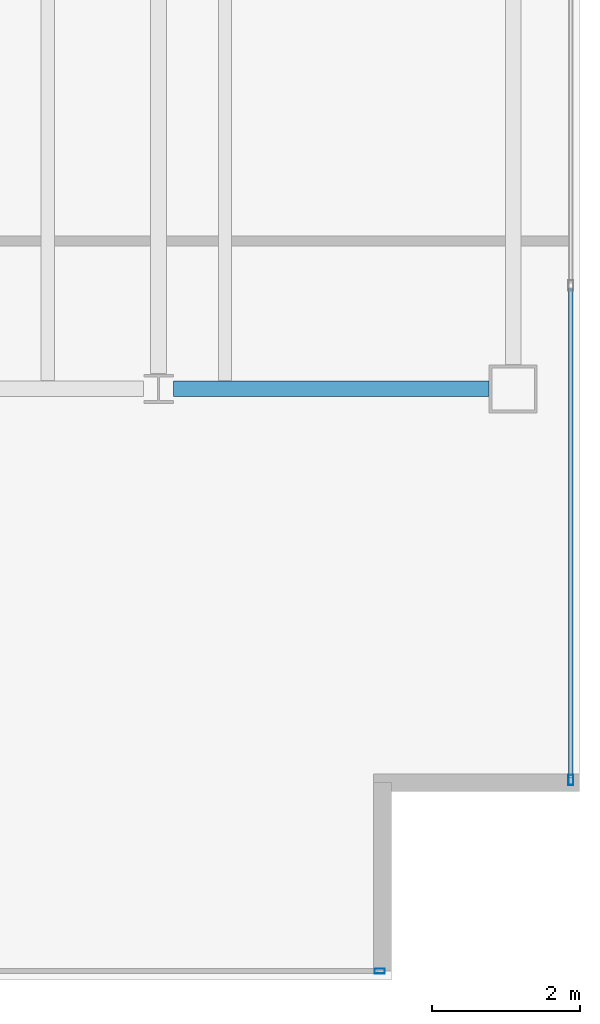
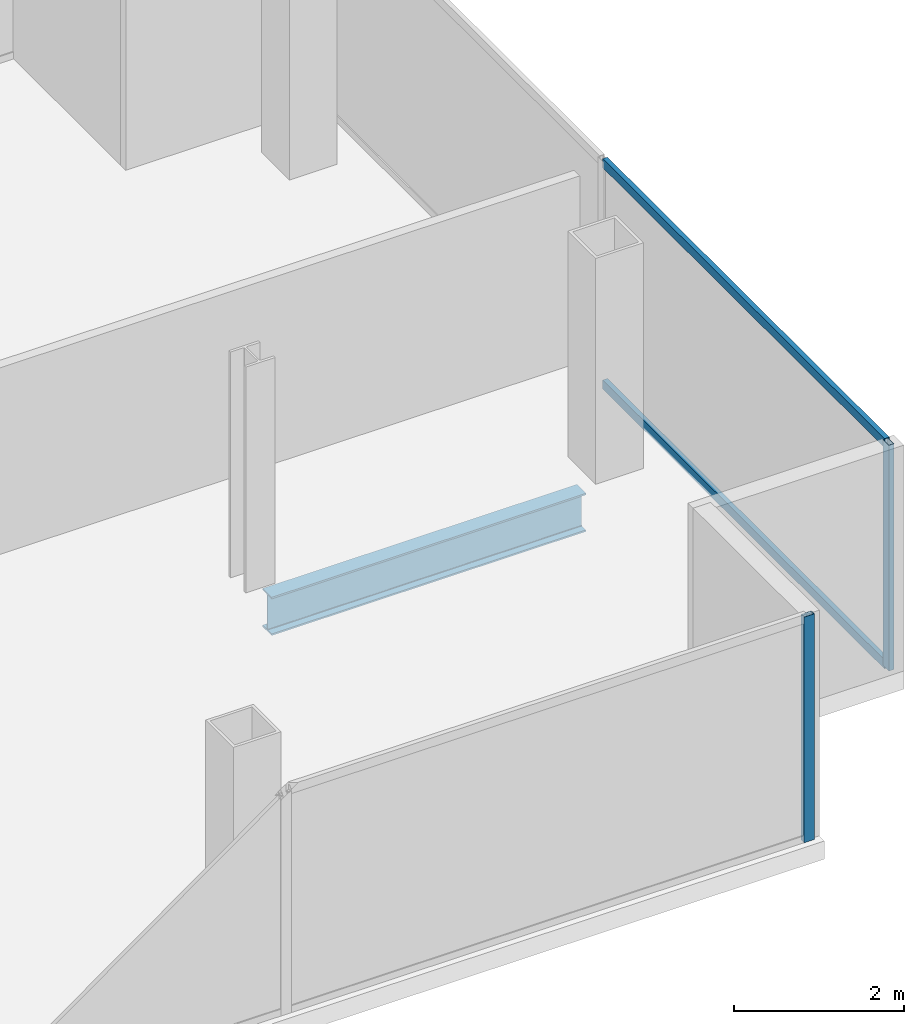
# One storey, part 14 of 23: 4 members, 1 beam, 2 elements without a shape of their own.
"""IFC4 building model written with IfcOpenShell, lengths in metres."""

from ifc_helpers import new_model, si_unit, direction, frame, origin, origin_2d, place, context, subcontext, project, spatial, hollow_rectangle, i_section, extrude, material, material_profile, profile_set, type_object, element, aggregate, save


model = new_model("IFC4")

# Units and contexts
model_context = context("Model", 3, precision=1e-05, world=origin(), true_north=direction((0.0, 1.0)))
body_context = subcontext(model_context, "Body", "Model", "MODEL_VIEW")
ifc_project = project(units=[si_unit("LENGTHUNIT", "METRE"), si_unit("AREAUNIT", "SQUARE_METRE"), si_unit("VOLUMEUNIT", "CUBIC_METRE"), si_unit("PLANEANGLEUNIT", "RADIAN"), si_unit("MASSUNIT", "GRAM", prefix="KILO")], contexts=[model_context])

# Site, building, storey
site_placement = place(None, origin())
site = spatial("IfcSite", under=ifc_project, at=site_placement, CompositionType="ELEMENT")
building_placement = place(site_placement, origin())
building = spatial("IfcBuilding", under=site, at=building_placement, Name="Cobrela Telecom Tower", CompositionType="ELEMENT")
storey_placement = place(building_placement, frame((0.0, 0.0, 258.64990234375)))
storey = spatial("IfcBuildingStorey", under=building, at=storey_placement, Name="L67", CompositionType="ELEMENT", Elevation=258.64990234375)

# Beam
ifc_material_1 = material(Name="Steel ASTM A992 Grade 50", Category="steel")
ifc_material_profile_1 = material_profile(ifc_material_1, i_section(OverallWidth=0.212890625, OverallDepth=0.549072265625, WebThickness=0.0146484375, FlangeThickness=0.023681640625, FilletRadius=0.013916015625, at=origin_2d()), Name="W21X93")
ifc_profile_set_1 = profile_set([ifc_material_profile_1], Name="Steel ASTM A992 Grade 50")
beam_type = type_object("IfcBeamType", Name="BM-GIRD-08", PredefinedType="USERDEFINED", material=ifc_profile_set_1)
beam_placement = place(storey_placement, frame((40.1044921875, 14.39990234375, -0.534423828125), z_axis=(1.0, 0.0, 0.0), x_axis=(0.0, 1.0, 0.0)))
element("IfcBeam", 1, at=beam_placement, inside=storey, type_object=beam_type, Name="L67 Primary Girder X09", ObjectType="GIRDER", PredefinedType="USERDEFINED", context=body_context, shape_type="SweptSolid", body=[
    extrude(i_section(OverallWidth=0.212890625, OverallDepth=0.549072265625, WebThickness=0.0146484375, FlangeThickness=0.023681640625, FilletRadius=0.013916015625, at=origin_2d()), origin(), (0.0, 0.0, 1.0), 4.265625),
])

# Curtain wall, member
ifc_material_2 = material(Name="Anodized Bronze Aluminium 6063-T6", Category="aluminium")
curtain_wall_type = type_object("IfcCurtainWallType", Name="CW-SYS-OFF-HI", PredefinedType="USERDEFINED", material=ifc_material_2)
curtain_wall_1_placement = place(storey_placement, origin())
curtain_wall_1 = element("IfcCurtainWall", 2, at=curtain_wall_1_placement, inside=storey, type_object=curtain_wall_type, Name="L67 Unitised Bronze Curtain Wall 12", ObjectType="UNITISED CURTAIN WALL", PredefinedType="USERDEFINED")
ifc_material_profile_2 = material_profile(ifc_material_2, hollow_rectangle(XDim=0.070068359375, YDim=0.139892578125, WallThickness=0.00390625, at=origin_2d()), Name="ALU 70x140x4")
ifc_profile_set_2 = profile_set([ifc_material_profile_2], Name="Anodized Bronze Aluminium 6063-T6")
member_type_1 = type_object("IfcMemberType", Name="CW-SYS-OFF-HI-MUL", PredefinedType="MULLION", material=ifc_profile_set_2)
member_1_placement = place(storey_placement, frame((45.47998046875, 9.10498046875, 0.0), z_axis=(0.0, 0.0, 1.0), x_axis=(1.0, 0.0, 0.0)))
member_1 = element("IfcMember", 3, at=member_1_placement, type_object=member_type_1, Name="CW-OFF-HI mullion 3", PredefinedType="MULLION", context=body_context, shape_type="SweptSolid", body=[
    extrude(hollow_rectangle(XDim=0.070068359375, YDim=0.139892578125, WallThickness=0.00390625, at=origin_2d()), origin(), (0.0, 0.0, 1.0), 3.239990234375),
])

curtain_wall_2_placement = place(storey_placement, origin())
curtain_wall_2 = element("IfcCurtainWall", 4, at=curtain_wall_2_placement, inside=storey, type_object=curtain_wall_type, Name="L67 Unitised Bronze Curtain Wall 15", ObjectType="UNITISED CURTAIN WALL", PredefinedType="USERDEFINED")
member_2_placement = place(storey_placement, frame((42.89501953125, 6.52001953125, 0.0), z_axis=(0.0, 0.0, 1.0), x_axis=(0.0, -1.0, 0.0)))
member_2 = element("IfcMember", 5, at=member_2_placement, type_object=member_type_1, Name="CW-OFF-HI mullion 1", PredefinedType="MULLION", context=body_context, shape_type="SweptSolid", body=[
    extrude(hollow_rectangle(XDim=0.070068359375, YDim=0.139892578125, WallThickness=0.00390625, at=origin_2d()), origin(), (0.0, 0.0, 1.0), 3.239990234375),
])
aggregate(curtain_wall_2, [member_2])

# Member
ifc_material_profile_3 = material_profile(ifc_material_2, hollow_rectangle(XDim=0.06494140625, YDim=0.1298828125, WallThickness=0.00390625, at=origin_2d()), Name="ALU 65x130x4")
ifc_profile_set_3 = profile_set([ifc_material_profile_3], Name="Anodized Bronze Aluminium 6063-T6")
member_type_2 = type_object("IfcMemberType", Name="CW-SYS-OFF-HI-TRN", PredefinedType="USERDEFINED", material=ifc_profile_set_3)
member_3_placement = place(storey_placement, frame((45.47998046875, 15.764892578125, 0.03271484375), z_axis=(0.0, -1.0, 0.0), x_axis=(1.0, 0.0, 0.0)))
member_3 = element("IfcMember", 6, at=member_3_placement, type_object=member_type_2, Name="CW-OFF-HI transom 2.1", ObjectType="TRANSOM", PredefinedType="USERDEFINED", context=body_context, shape_type="SweptSolid", body=[
    extrude(hollow_rectangle(XDim=0.06494140625, YDim=0.1298828125, WallThickness=0.00390625, at=origin_2d()), origin(), (0.0, 0.0, 1.0), 6.625),
])

member_4_placement = place(storey_placement, frame((45.47998046875, 15.764892578125, 3.20751953125), z_axis=(0.0, -1.0, 0.0), x_axis=(1.0, 0.0, 0.0)))
member_4 = element("IfcMember", 7, at=member_4_placement, type_object=member_type_2, Name="CW-OFF-HI transom 2.2", ObjectType="TRANSOM", PredefinedType="USERDEFINED", context=body_context, shape_type="SweptSolid", body=[
    extrude(hollow_rectangle(XDim=0.06494140625, YDim=0.1298828125, WallThickness=0.00390625, at=origin_2d()), origin(), (0.0, 0.0, 1.0), 6.625),
])

aggregate(curtain_wall_1, [member_1, member_3, member_4])

save(model, "model.ifc")
